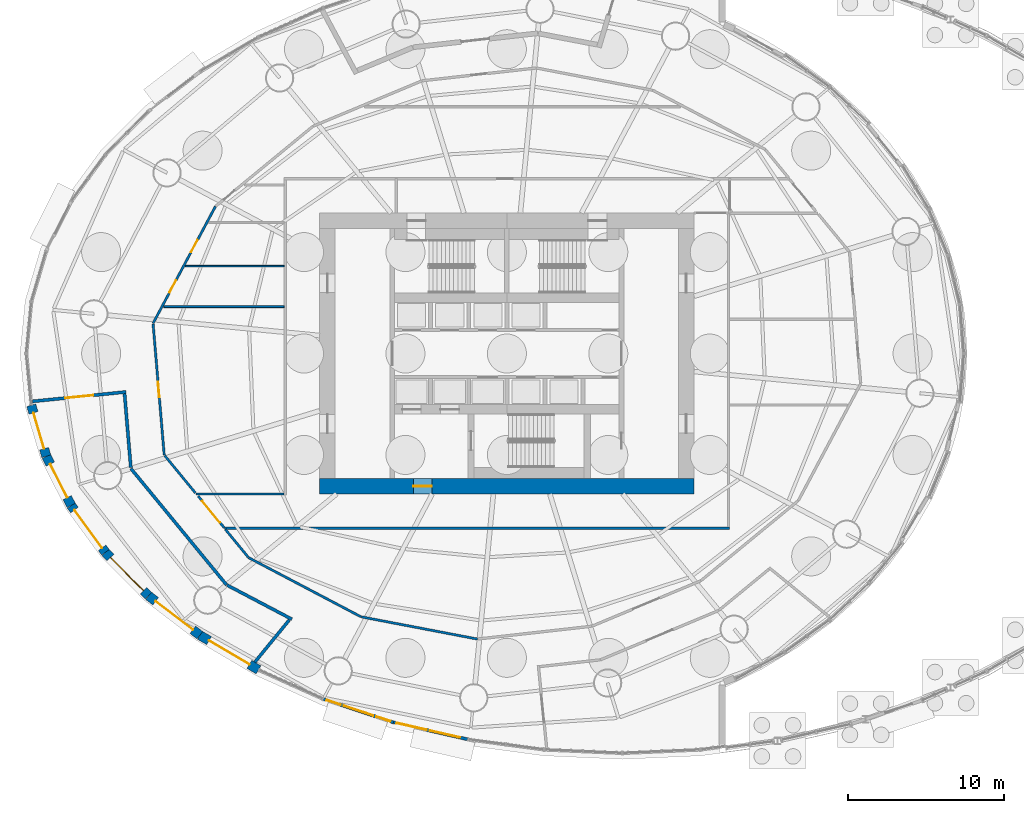
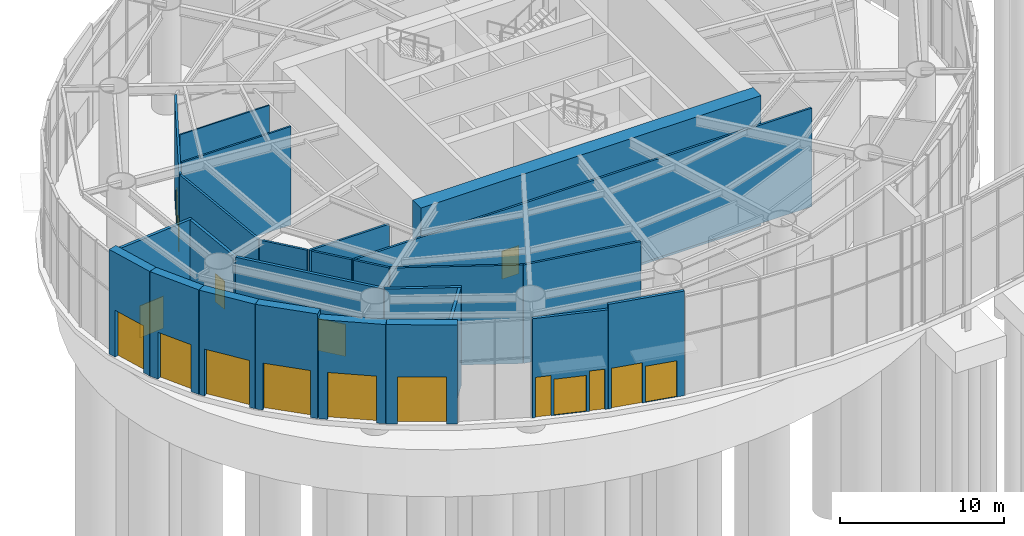
# One storey, part 21 of 27: 25 walls, 14 doors, 3 windows, 17 openings.
"""IFC4 building model written with IfcOpenShell, lengths in metres."""

from ifc_helpers import new_model, si_unit, direction, frame, frame_2d, origin, place, context, subcontext, project, spatial, rectangle, extrude, material, layer, layer_set, type_object, element, fill, save


model = new_model("IFC4")

# Units and contexts
model_context = context("Model", 3, precision=1e-05, world=origin(), true_north=direction((0.0, 1.0)))
body_context = subcontext(model_context, "Body", "Model", "MODEL_VIEW")
ifc_project = project(units=[si_unit("LENGTHUNIT", "METRE"), si_unit("AREAUNIT", "SQUARE_METRE"), si_unit("VOLUMEUNIT", "CUBIC_METRE"), si_unit("PLANEANGLEUNIT", "RADIAN"), si_unit("MASSUNIT", "GRAM", prefix="KILO")], contexts=[model_context])

# Site, building, storey
site_placement = place(None, origin())
site = spatial("IfcSite", under=ifc_project, at=site_placement, CompositionType="ELEMENT")
building_placement = place(site_placement, origin())
building = spatial("IfcBuilding", under=site, at=building_placement, Name="Vermilion Reach Broadcast Tower", CompositionType="ELEMENT")
storey_placement = place(building_placement, origin())
storey = spatial("IfcBuildingStorey", under=building, at=storey_placement, Name="L00", CompositionType="ELEMENT", Elevation=0.0)

# Wall, opening, door
ifc_material_1 = material(Name="Concrete C70", Category="concrete")
ifc_layer_1 = layer(ifc_material_1, 1.0)
ifc_layer_set_1 = layer_set([ifc_layer_1], Name="Core outer wall 1000 mm Concrete C70")
wall_type_1 = type_object("IfcWallType", Name="Core outer wall 1000 mm Concrete C70", PredefinedType="SHEAR", material=ifc_layer_set_1)
wall_1_placement = place(storey_placement, frame((-18.0, -8.5, -2.0), z_axis=(0.0, 0.0, 1.0), x_axis=(1.0, 0.0, 0.0)))
wall_1 = element("IfcWall", 1, at=wall_1_placement, inside=storey, type_object=wall_type_1, Name="L00 core wall os", PredefinedType="SHEAR", context=body_context, shape_type="SweptSolid", body=[
    extrude(rectangle(XDim=24.0, YDim=1.0, at=frame_2d((12.0, 0.0))), origin(), (0.0, 0.0, 1.0), 9.699951171875),
])
opening_1_placement = place(wall_1_placement, frame((6.0, 0.0, 2.0)))
opening_1 = element("IfcOpeningElement", 2, at=opening_1_placement, cuts=wall_1, Name="Opening D02", PredefinedType="OPENING", context=body_context, shape_type="SweptSolid", body=[
    extrude(rectangle(XDim=1.199951171875, YDim=2.10009765625, at=frame_2d((0.60009765625, 1.050048828125))), frame((0.0, 0.510009765625, 0.0), z_axis=(0.0, -1.0, 0.0), x_axis=(1.0, 0.0, 0.0)), (0.0, 0.0, 1.0), 1.02001953125),
])
ifc_material_2 = material(Name="Painted steel fire door", Category="steel")
door_type_1 = type_object("IfcDoorType", Name="Firefighting lobby door 1200 x 2100", OperationType="DOUBLE_DOOR_SINGLE_SWING", PredefinedType="NOTDEFINED", material=ifc_material_2)
door_1_placement = place(opening_1_placement, origin())
door_1 = element("IfcDoor", 3, at=door_1_placement, inside=storey, type_object=door_type_1, Name="L00 ffdoor door FFL", OperationType="DOUBLE_DOOR_SINGLE_SWING", OverallHeight=2.10009765625, OverallWidth=1.199951171875, PredefinedType="NOTDEFINED", context=body_context, shape_type="SweptSolid", body=[
    extrude(rectangle(XDim=1.199951171875, YDim=2.10009765625, at=frame_2d((0.60009765625, 1.050048828125))), frame((0.0, 0.02490234375, 0.0), z_axis=(0.0, -1.0, 0.0), x_axis=(1.0, 0.0, 0.0)), (0.0, 0.0, 1.0), 0.050048828125),
])
fill(opening_1, door_1)

# Walls
ifc_material_3 = material(Name="Gypsum board partition")
ifc_layer_2 = layer(ifc_material_3, 0.14990234375)
ifc_layer_set_2 = layer_set([ifc_layer_2], Name="Corridor wall 150")
wall_type_2 = type_object("IfcWallType", Name="Corridor wall 150", PredefinedType="PARTITIONING", material=ifc_layer_set_2)
wall_2_placement = place(storey_placement, frame((-24.097412109375, -11.199951171875, 0.0), z_axis=(0.0, 0.0, 1.0), x_axis=(1.0, 0.0, 0.0)))
element("IfcWall", 4, at=wall_2_placement, inside=storey, type_object=wall_type_2, Name="sp.wall.L00.003", PredefinedType="PARTITIONING", context=body_context, shape_type="SweptSolid", body=[
    extrude(rectangle(XDim=32.372314453125, YDim=0.14990234375, at=frame_2d((16.18603515625, 0.0))), origin(), (0.0, 0.0, 1.0), 7.35009765625),
])
wall_3_placement = place(storey_placement, frame((-25.90576171875, -9.0, 0.0), z_axis=(0.0, 0.0, 1.0), x_axis=(1.0, 0.0, 0.0)))
element("IfcWall", 5, at=wall_3_placement, inside=storey, type_object=wall_type_2, Name="sp.wall.L00.005", PredefinedType="PARTITIONING", context=body_context, shape_type="SweptSolid", body=[
    extrude(rectangle(XDim=5.630859375, YDim=0.14990234375, at=frame_2d((2.8154296875, 0.0))), origin(), (0.0, 0.0, 1.0), 7.35009765625),
])

# Wall, openings, doors
wall_4_placement = place(storey_placement, frame((-28.674072265625, 1.933349609375, 0.0), z_axis=(0.0, 0.0, 1.0), x_axis=(0.470743396375, 0.882270171076, 0.0)))
wall_4 = element("IfcWall", 6, at=wall_4_placement, inside=storey, type_object=wall_type_2, Name="sp.wall.L00.007", PredefinedType="PARTITIONING", context=body_context, shape_type="SweptSolid", body=[
    extrude(rectangle(XDim=8.4931640625, YDim=0.14990234375, at=frame_2d((4.24658203125, 0.0))), origin(), (0.0, 0.0, 1.0), 7.35009765625),
])
opening_2_placement = place(wall_4_placement, frame((2.232666015625, 0.0, 0.0)))
opening_2 = element("IfcOpeningElement", 7, at=opening_2_placement, cuts=wall_4, Name="Opening D51", PredefinedType="OPENING", context=body_context, shape_type="SweptSolid", body=[
    extrude(rectangle(XDim=0.89990234375, YDim=2.10009765625, at=frame_2d((0.449951171875, 1.050048828125))), frame((0.0, 0.0849609375, 0.0), z_axis=(0.0, -1.0, 0.0), x_axis=(1.0, 0.0, 0.0)), (0.0, 0.0, 1.0), 0.169921875),
])
opening_3_placement = place(wall_4_placement, frame((5.16650390625, 0.0, 0.0)))
opening_3 = element("IfcOpeningElement", 8, at=opening_3_placement, cuts=wall_4, Name="Opening D51", PredefinedType="OPENING", context=body_context, shape_type="SweptSolid", body=[
    extrude(rectangle(XDim=0.89990234375, YDim=2.10009765625, at=frame_2d((0.449951171875, 1.050048828125))), frame((0.0, 0.0849609375, 0.0), z_axis=(0.0, -1.0, 0.0), x_axis=(1.0, 0.0, 0.0)), (0.0, 0.0, 1.0), 0.169921875),
])
ifc_material_4 = material(Name="Timber and steel door set", Category="steel")
door_type_2 = type_object("IfcDoorType", Name="Door 900x2100 WC", OperationType="NOTDEFINED", PredefinedType="DOOR", material=ifc_material_4)
door_2_placement = place(opening_2_placement, origin())
door_2 = element("IfcDoor", 9, at=door_2_placement, inside=storey, type_object=door_type_2, Name="sp.door.L00.001", OperationType="SINGLE_SWING_RIGHT", OverallHeight=2.10009765625, OverallWidth=0.89990234375, PredefinedType="DOOR", context=body_context, shape_type="SweptSolid", body=[
    extrude(rectangle(XDim=0.89990234375, YDim=2.10009765625, at=frame_2d((0.449951171875, 1.050048828125))), frame((0.0, 0.02490234375, 0.0), z_axis=(0.0, -1.0, 0.0), x_axis=(1.0, 0.0, 0.0)), (0.0, 0.0, 1.0), 0.050048828125),
])
fill(opening_2, door_2)
door_3_placement = place(opening_3_placement, origin())
door_3 = element("IfcDoor", 10, at=door_3_placement, inside=storey, type_object=door_type_2, Name="sp.door.L00.002", OperationType="SINGLE_SWING_LEFT", OverallHeight=2.10009765625, OverallWidth=0.89990234375, PredefinedType="DOOR", context=body_context, shape_type="SweptSolid", body=[
    extrude(rectangle(XDim=0.89990234375, YDim=2.10009765625, at=frame_2d((0.449951171875, 1.050048828125))), frame((0.0, 0.02490234375, 0.0), z_axis=(0.0, -1.0, 0.0), x_axis=(1.0, 0.0, 0.0)), (0.0, 0.0, 1.0), 0.050048828125),
])
fill(opening_3, door_3)

# Walls
wall_5_placement = place(storey_placement, frame((-27.926025390625, -6.54248046875, 0.0), z_axis=(0.0, 0.0, 1.0), x_axis=(0.635017397711, -0.772497834692, 0.0)))
element("IfcWall", 11, at=wall_5_placement, inside=storey, type_object=wall_type_2, Name="sp.wall.L00.008", PredefinedType="PARTITIONING", context=body_context, shape_type="SweptSolid", body=[
    extrude(rectangle(XDim=3.08984375, YDim=0.14990234375, at=frame_2d((1.544921875, 0.0))), origin(), (0.0, 0.0, 1.0), 7.35009765625),
])
wall_6_placement = place(storey_placement, frame((-24.039306640625, -11.2705078125, 0.0), z_axis=(0.0, 0.0, 1.0), x_axis=(0.634980634047, -0.772528054109, 0.0)))
element("IfcWall", 12, at=wall_6_placement, inside=storey, type_object=wall_type_2, Name="sp.wall.L00.009", PredefinedType="PARTITIONING", context=body_context, shape_type="SweptSolid", body=[
    extrude(rectangle(XDim=2.309326171875, YDim=0.14990234375, at=frame_2d((1.15478515625, 0.0))), origin(), (0.0, 0.0, 1.0), 7.35009765625),
])

# Wall, opening, door
wall_7_placement = place(storey_placement, frame((-27.958984375, -6.50244140625, 0.0), z_axis=(0.0, 0.0, 1.0), x_axis=(-0.084490422104, 0.99642429144, 0.0)))
wall_7 = element("IfcWall", 13, at=wall_7_placement, inside=storey, type_object=wall_type_2, Name="sp.wall.L00.010", PredefinedType="PARTITIONING", context=body_context, shape_type="SweptSolid", body=[
    extrude(rectangle(XDim=8.417236328125, YDim=0.14990234375, at=frame_2d((4.20849609375, 0.0))), origin(), (0.0, 0.0, 1.0), 7.35009765625),
])
opening_4_placement = place(wall_7_placement, frame((3.708740234375, 0.0, 0.0)))
opening_4 = element("IfcOpeningElement", 14, at=opening_4_placement, cuts=wall_7, Name="Opening D50", PredefinedType="OPENING", context=body_context, shape_type="SweptSolid", body=[
    extrude(rectangle(XDim=1.0, YDim=2.10009765625, at=frame_2d((0.5, 1.050048828125))), frame((0.0, 0.0849609375, 0.0), z_axis=(0.0, -1.0, 0.0), x_axis=(1.0, 0.0, 0.0)), (0.0, 0.0, 1.0), 0.169921875),
])
ifc_material_5 = material(Name="Timber and steel door set", Category="steel")
door_type_3 = type_object("IfcDoorType", Name="Door 1000x2100", OperationType="NOTDEFINED", PredefinedType="DOOR", material=ifc_material_5)
door_4_placement = place(opening_4_placement, origin())
door_4 = element("IfcDoor", 15, at=door_4_placement, inside=storey, type_object=door_type_3, Name="sp.door.L00.000", OperationType="SINGLE_SWING_LEFT", OverallHeight=2.10009765625, OverallWidth=1.0, PredefinedType="DOOR", context=body_context, shape_type="SweptSolid", body=[
    extrude(rectangle(XDim=1.0, YDim=2.10009765625, at=frame_2d((0.5, 1.050048828125))), frame((0.0, 0.02490234375, 0.0), z_axis=(0.0, -1.0, 0.0), x_axis=(1.0, 0.0, 0.0)), (0.0, 0.0, 1.0), 0.050048828125),
])
fill(opening_4, door_4)

# Walls
wall_8_placement = place(storey_placement, frame((-15.3251953125, -16.875244140625, 0.0), z_axis=(0.0, 0.0, 1.0), x_axis=(0.982205706766, -0.187808278828, 0.0)))
element("IfcWall", 16, at=wall_8_placement, inside=storey, type_object=wall_type_2, Name="sp.wall.L00.025", PredefinedType="PARTITIONING", context=body_context, shape_type="SweptSolid", body=[
    extrude(rectangle(XDim=7.573486328125, YDim=0.14990234375, at=frame_2d((3.78662109375, 0.0))), origin(), (0.0, 0.0, 1.0), 7.35009765625),
])
wall_9_placement = place(storey_placement, frame((-22.552734375, -13.078857421875, 0.0), z_axis=(0.0, 0.0, 1.0), x_axis=(0.884926027541, -0.46573160273, 0.0)))
element("IfcWall", 17, at=wall_9_placement, inside=storey, type_object=wall_type_2, Name="sp.wall.L00.026", PredefinedType="PARTITIONING", context=body_context, shape_type="SweptSolid", body=[
    extrude(rectangle(XDim=8.14208984375, YDim=0.14990234375, at=frame_2d((4.071044921875, 0.0))), origin(), (0.0, 0.0, 1.0), 7.35009765625),
])

# Wall, opening, door
wall_10_placement = place(storey_placement, frame((-24.114990234375, -11.16259765625, 0.0), z_axis=(0.0, 0.0, 1.0), x_axis=(-0.63506228811, 0.772460931193, 0.0)))
wall_10 = element("IfcWall", 18, at=wall_10_placement, inside=storey, type_object=wall_type_2, Name="Exit passage wall E", PredefinedType="PARTITIONING", context=body_context, shape_type="SweptSolid", body=[
    extrude(rectangle(XDim=2.6279296875, YDim=0.14990234375, at=frame_2d((1.31396484375, 0.0))), origin(), (0.0, 0.0, 1.0), 7.35009765625),
])
opening_5_placement = place(wall_10_placement, frame((0.413818359375, 0.0, 0.0)))
opening_5 = element("IfcOpeningElement", 19, at=opening_5_placement, cuts=wall_10, Name="Opening D56", PredefinedType="OPENING", context=body_context, shape_type="SweptSolid", body=[
    extrude(rectangle(XDim=1.800048828125, YDim=2.39990234375, at=frame_2d((0.89990234375, 1.199951171875))), frame((0.0, 0.0849609375, 0.0), z_axis=(0.0, -1.0, 0.0), x_axis=(1.0, 0.0, 0.0)), (0.0, 0.0, 1.0), 0.169921875),
])
ifc_material_6 = material(Name="Timber and steel door set", Category="steel")
door_type_4 = type_object("IfcDoorType", Name="Fire door double 1800x2400", OperationType="NOTDEFINED", PredefinedType="DOOR", material=ifc_material_6)
door_5_placement = place(opening_5_placement, origin())
door_5 = element("IfcDoor", 20, at=door_5_placement, inside=storey, type_object=door_type_4, Name="Exit passage door", OperationType="DOUBLE_DOOR_SINGLE_SWING", OverallHeight=2.39990234375, OverallWidth=1.800048828125, PredefinedType="DOOR", context=body_context, shape_type="SweptSolid", body=[
    extrude(rectangle(XDim=1.800048828125, YDim=2.39990234375, at=frame_2d((0.89990234375, 1.199951171875))), frame((0.0, 0.02490234375, 0.0), z_axis=(0.0, -1.0, 0.0), x_axis=(1.0, 0.0, 0.0)), (0.0, 0.0, 1.0), 0.050048828125),
])
fill(opening_5, door_5)

# Wall
ifc_material_7 = material(Name="Gypsum board partition")
ifc_layer_3 = layer(ifc_material_7, 0.125)
ifc_layer_set_3 = layer_set([ifc_layer_3], Name="Partition 125 plasterboard")
wall_type_3 = type_object("IfcWallType", Name="Partition 125 plasterboard", PredefinedType="PARTITIONING", material=ifc_layer_set_3)
wall_11_placement = place(storey_placement, frame((-27.986572265625, 3.0, 0.0), z_axis=(0.0, 0.0, 1.0), x_axis=(1.0, 0.0, 0.0)))
element("IfcWall", 21, at=wall_11_placement, inside=storey, type_object=wall_type_3, Name="sp.wall.L00.006", PredefinedType="PARTITIONING", context=body_context, shape_type="SweptSolid", body=[
    extrude(rectangle(XDim=7.711669921875, YDim=0.125, at=frame_2d((3.85595703125, 0.0))), origin(), (0.0, 0.0, 1.0), 7.35009765625),
])

# Wall, opening, door
ifc_material_8 = material(Name="Gypsum board shaft wall")
ifc_layer_4 = layer(ifc_material_8, 0.199951171875)
ifc_layer_set_4 = layer_set([ifc_layer_4], Name="Plant room wall 200")
wall_type_4 = type_object("IfcWallType", Name="Plant room wall 200", PredefinedType="PARTITIONING", material=ifc_layer_set_4)
wall_12_placement = place(storey_placement, frame((-36.401611328125, -3.066650390625, 0.0), z_axis=(0.0, 0.0, 1.0), x_axis=(0.994950935354, 0.100362524075, 0.0)))
wall_12 = element("IfcWall", 22, at=wall_12_placement, inside=storey, type_object=wall_type_4, Name="sp.wall.L00.036", PredefinedType="PARTITIONING", context=body_context, shape_type="SweptSolid", body=[
    extrude(rectangle(XDim=6.023193359375, YDim=0.199951171875, at=frame_2d((3.01171875, 0.0))), origin(), (0.0, 0.0, 1.0), 7.35009765625),
])
opening_6_placement = place(wall_12_placement, frame((2.111572265625, 0.0, 0.0)))
opening_6 = element("IfcOpeningElement", 23, at=opening_6_placement, cuts=wall_12, Name="Opening D53", PredefinedType="OPENING", context=body_context, shape_type="SweptSolid", body=[
    extrude(rectangle(XDim=1.800048828125, YDim=2.39990234375, at=frame_2d((0.89990234375, 1.199951171875))), frame((0.0, 0.10986328125, 0.0), z_axis=(0.0, -1.0, 0.0), x_axis=(1.0, 0.0, 0.0)), (0.0, 0.0, 1.0), 0.219970703125),
])
ifc_material_9 = material(Name="Timber and steel door set", Category="steel")
door_type_5 = type_object("IfcDoorType", Name="Plant double door 1800x2400", OperationType="NOTDEFINED", PredefinedType="DOOR", material=ifc_material_9)
door_6_placement = place(opening_6_placement, origin())
door_6 = element("IfcDoor", 24, at=door_6_placement, inside=storey, type_object=door_type_5, Name="sp.door.L00.011", OperationType="DOUBLE_DOOR_SINGLE_SWING", OverallHeight=2.39990234375, OverallWidth=1.800048828125, PredefinedType="DOOR", context=body_context, shape_type="SweptSolid", body=[
    extrude(rectangle(XDim=1.800048828125, YDim=2.39990234375, at=frame_2d((0.89990234375, 1.199951171875))), frame((0.0, 0.02490234375, 0.0), z_axis=(0.0, -1.0, 0.0), x_axis=(1.0, 0.0, 0.0)), (0.0, 0.0, 1.0), 0.050048828125),
])
fill(opening_6, door_6)

# Walls
wall_13_placement = place(storey_placement, frame((-30.5, -2.573486328125, 0.0), z_axis=(0.0, 0.0, 1.0), x_axis=(0.084475975721, -0.996425516296, 0.0)))
element("IfcWall", 25, at=wall_13_placement, inside=storey, type_object=wall_type_4, Name="sp.wall.L00.037", PredefinedType="PARTITIONING", context=body_context, shape_type="SweptSolid", body=[
    extrude(rectangle(XDim=4.745361328125, YDim=0.199951171875, at=frame_2d((2.37255859375, 0.0))), origin(), (0.0, 0.0, 1.0), 7.35009765625),
])
wall_14_placement = place(storey_placement, frame((-30.09326171875, -7.37060546875, 0.0), z_axis=(0.0, 0.0, 1.0), x_axis=(0.635024486896, -0.772492007106, 0.0)))
element("IfcWall", 26, at=wall_14_placement, inside=storey, type_object=wall_type_4, Name="sp.wall.L00.038", PredefinedType="PARTITIONING", context=body_context, shape_type="SweptSolid", body=[
    extrude(rectangle(XDim=9.641845703125, YDim=0.199951171875, at=frame_2d((4.82080078125, 0.0))), origin(), (0.0, 0.0, 1.0), 7.35009765625),
])
wall_15_placement = place(storey_placement, frame((-23.93310546875, -14.838623046875, 0.0), z_axis=(0.0, 0.0, 1.0), x_axis=(0.884946422315, -0.465692849023, 0.0)))
element("IfcWall", 27, at=wall_15_placement, inside=storey, type_object=wall_type_4, Name="sp.wall.L00.039", PredefinedType="PARTITIONING", context=body_context, shape_type="SweptSolid", body=[
    extrude(rectangle(XDim=4.694580078125, YDim=0.199951171875, at=frame_2d((2.34716796875, 0.0))), origin(), (0.0, 0.0, 1.0), 7.35009765625),
])
wall_16_placement = place(storey_placement, frame((-22.15625, -19.78125, 0.0), z_axis=(0.0, 0.0, 1.0), x_axis=(0.632598795389, 0.774479673118, 0.0)))
element("IfcWall", 28, at=wall_16_placement, inside=storey, type_object=wall_type_4, Name="sp.wall.L00.040", PredefinedType="PARTITIONING", context=body_context, shape_type="SweptSolid", body=[
    extrude(rectangle(XDim=3.49658203125, YDim=0.199951171875, at=frame_2d((1.748291015625, 0.0))), origin(), (0.0, 0.0, 1.0), 7.35009765625),
])

# Wall, opening, door
ifc_material_10 = material(Name="Precast concrete C40/50 with acoustic cladding", Category="concrete")
ifc_layer_5 = layer(ifc_material_10, 0.60009765625)
ifc_layer_set_5 = layer_set([ifc_layer_5], Name="Podium acoustic wall 600")
wall_type_5 = type_object("IfcWallType", Name="Podium acoustic wall 600", PredefinedType="SOLIDWALL", material=ifc_layer_set_5)
wall_17_placement = place(storey_placement, frame((-36.477294921875, -3.31689453125, 0.0), z_axis=(0.0, 0.0, 1.0), x_axis=(0.283226206308, -0.95905313516, 0.0)))
wall_17 = element("IfcWall", 29, at=wall_17_placement, inside=storey, type_object=wall_type_5, Name="Podium wall L00 str15", PredefinedType="SOLIDWALL", context=body_context, shape_type="SweptSolid", body=[
    extrude(rectangle(XDim=3.404052734375, YDim=0.60009765625, at=frame_2d((1.7021484375, 0.0))), origin(), (0.0, 0.0, 1.0), 7.800048828125),
])
opening_7_placement = place(wall_17_placement, frame((0.501953125, 0.0, 0.0)))
opening_7 = element("IfcOpeningElement", 30, at=opening_7_placement, cuts=wall_17, Name="Opening D74", PredefinedType="OPENING", context=body_context, shape_type="SweptSolid", body=[
    extrude(rectangle(XDim=2.39990234375, YDim=3.5, at=frame_2d((1.199951171875, 1.75))), frame((0.0, 0.31005859375, 0.0), z_axis=(0.0, -1.0, 0.0), x_axis=(1.0, 0.0, 0.0)), (0.0, 0.0, 1.0), 0.6201171875),
])
ifc_material_11 = material(Name="Galvanised steel roller shutter", Category="steel")
door_type_6 = type_object("IfcDoorType", Name="Service gate 2400 x 3500", OperationType="ROLLINGUP", PredefinedType="GATE", material=ifc_material_11)
door_7_placement = place(opening_7_placement, origin())
door_7 = element("IfcDoor", 31, at=door_7_placement, inside=storey, type_object=door_type_6, Name="Service gate L00 15", OperationType="ROLLINGUP", OverallHeight=3.5, OverallWidth=2.39990234375, PredefinedType="GATE", context=body_context, shape_type="SweptSolid", body=[
    extrude(rectangle(XDim=2.39990234375, YDim=3.5, at=frame_2d((1.199951171875, 1.75))), frame((0.0, 0.02490234375, 0.0), z_axis=(0.0, -1.0, 0.0), x_axis=(1.0, 0.0, 0.0)), (0.0, 0.0, 1.0), 0.050048828125),
])
fill(opening_7, door_7)

wall_18_placement = place(storey_placement, frame((-35.51318359375, -6.58154296875, 0.0), z_axis=(0.0, 0.0, 1.0), x_axis=(0.450137579264, -0.892959215045, 0.0)))
wall_18 = element("IfcWall", 32, at=wall_18_placement, inside=storey, type_object=wall_type_5, Name="Podium wall L00 str16", PredefinedType="SOLIDWALL", context=body_context, shape_type="SweptSolid", body=[
    extrude(rectangle(XDim=3.537353515625, YDim=0.60009765625, at=frame_2d((1.7685546875, 0.0))), origin(), (0.0, 0.0, 1.0), 7.800048828125),
])
opening_8_placement = place(wall_18_placement, frame((0.569091796875, 0.0, 0.0)))
opening_8 = element("IfcOpeningElement", 33, at=opening_8_placement, cuts=wall_18, Name="Opening D74", PredefinedType="OPENING", context=body_context, shape_type="SweptSolid", body=[
    extrude(rectangle(XDim=2.39990234375, YDim=3.5, at=frame_2d((1.199951171875, 1.75))), frame((0.0, 0.31005859375, 0.0), z_axis=(0.0, -1.0, 0.0), x_axis=(1.0, 0.0, 0.0)), (0.0, 0.0, 1.0), 0.6201171875),
])
door_8_placement = place(opening_8_placement, origin())
door_8 = element("IfcDoor", 34, at=door_8_placement, inside=storey, type_object=door_type_6, Name="Service gate L00 16", OperationType="ROLLINGUP", OverallHeight=3.5, OverallWidth=2.39990234375, PredefinedType="GATE", context=body_context, shape_type="SweptSolid", body=[
    extrude(rectangle(XDim=2.39990234375, YDim=3.5, at=frame_2d((1.199951171875, 1.75))), frame((0.0, 0.02490234375, 0.0), z_axis=(0.0, -1.0, 0.0), x_axis=(1.0, 0.0, 0.0)), (0.0, 0.0, 1.0), 0.050048828125),
])
fill(opening_8, door_8)

wall_19_placement = place(storey_placement, frame((-33.9208984375, -9.740234375, 0.0), z_axis=(0.0, 0.0, 1.0), x_axis=(0.59073426953, -0.806866174035, 0.0)))
wall_19 = element("IfcWall", 35, at=wall_19_placement, inside=storey, type_object=wall_type_5, Name="Podium wall L00 str17", PredefinedType="SOLIDWALL", context=body_context, shape_type="SweptSolid", body=[
    extrude(rectangle(XDim=3.717529296875, YDim=0.60009765625, at=frame_2d((1.85888671875, 0.0))), origin(), (0.0, 0.0, 1.0), 7.800048828125),
])
opening_9_placement = place(wall_19_placement, frame((0.35888671875, 0.0, 0.0)))
opening_9 = element("IfcOpeningElement", 36, at=opening_9_placement, cuts=wall_19, Name="Opening D73", PredefinedType="OPENING", context=body_context, shape_type="SweptSolid", body=[
    extrude(rectangle(XDim=3.0, YDim=3.5, at=frame_2d((1.5, 1.75))), frame((0.0, 0.31005859375, 0.0), z_axis=(0.0, -1.0, 0.0), x_axis=(1.0, 0.0, 0.0)), (0.0, 0.0, 1.0), 0.6201171875),
])
ifc_material_12 = material(Name="Galvanised steel roller shutter", Category="steel")
door_type_7 = type_object("IfcDoorType", Name="Service gate 3000 x 3500", OperationType="ROLLINGUP", PredefinedType="GATE", material=ifc_material_12)
door_9_placement = place(opening_9_placement, origin())
door_9 = element("IfcDoor", 37, at=door_9_placement, inside=storey, type_object=door_type_7, Name="Service gate L00 17", OperationType="ROLLINGUP", OverallHeight=3.5, OverallWidth=3.0, PredefinedType="GATE", context=body_context, shape_type="SweptSolid", body=[
    extrude(rectangle(XDim=3.0, YDim=3.5, at=frame_2d((1.5, 1.75))), frame((0.0, 0.02490234375, 0.0), z_axis=(0.0, -1.0, 0.0), x_axis=(1.0, 0.0, 0.0)), (0.0, 0.0, 1.0), 0.050048828125),
])
fill(opening_9, door_9)

wall_20_placement = place(storey_placement, frame((-31.724853515625, -12.73974609375, 0.0), z_axis=(0.0, 0.0, 1.0), x_axis=(0.704303183564, -0.709899306678, 0.0)))
wall_20 = element("IfcWall", 38, at=wall_20_placement, inside=storey, type_object=wall_type_5, Name="Podium wall L00 str18", PredefinedType="SOLIDWALL", context=body_context, shape_type="SweptSolid", body=[
    extrude(rectangle(XDim=3.926513671875, YDim=0.60009765625, at=frame_2d((1.96337890625, 0.0))), origin(), (0.0, 0.0, 1.0), 7.800048828125),
])
opening_10_placement = place(wall_20_placement, frame((0.462890625, 0.0, 0.0)))
opening_10 = element("IfcOpeningElement", 39, at=opening_10_placement, cuts=wall_20, Name="Opening D73", PredefinedType="OPENING", context=body_context, shape_type="SweptSolid", body=[
    extrude(rectangle(XDim=3.0, YDim=3.5, at=frame_2d((1.5, 1.75))), frame((0.0, 0.31005859375, 0.0), z_axis=(0.0, -1.0, 0.0), x_axis=(1.0, 0.0, 0.0)), (0.0, 0.0, 1.0), 0.6201171875),
])
door_10_placement = place(opening_10_placement, origin())
door_10 = element("IfcDoor", 40, at=door_10_placement, inside=storey, type_object=door_type_7, Name="Service gate L00 18", OperationType="ROLLINGUP", OverallHeight=3.5, OverallWidth=3.0, PredefinedType="GATE", context=body_context, shape_type="SweptSolid", body=[
    extrude(rectangle(XDim=3.0, YDim=3.5, at=frame_2d((1.5, 1.75))), frame((0.0, 0.02490234375, 0.0), z_axis=(0.0, -1.0, 0.0), x_axis=(1.0, 0.0, 0.0)), (0.0, 0.0, 1.0), 0.050048828125),
])
fill(opening_10, door_10)

ifc_material_13 = material(Name="Precast concrete C40/50 with acoustic cladding", Category="concrete")
ifc_layer_6 = layer(ifc_material_13, 0.60009765625)
ifc_layer_set_6 = layer_set([ifc_layer_6], Name="Podium acoustic wall 600, head 400 below soffit")
wall_type_6 = type_object("IfcWallType", Name="Podium acoustic wall 600, head 400 below soffit", PredefinedType="SOLIDWALL", material=ifc_layer_set_6)
wall_21_placement = place(storey_placement, frame((-28.95947265625, -15.527099609375, 0.0), z_axis=(0.0, 0.0, 1.0), x_axis=(0.793065901338, -0.609135843745, 0.0)))
wall_21 = element("IfcWall", 41, at=wall_21_placement, inside=storey, type_object=wall_type_6, Name="Podium wall L00 str19", PredefinedType="SOLIDWALL", context=body_context, shape_type="SweptSolid", body=[
    extrude(rectangle(XDim=4.146728515625, YDim=0.60009765625, at=frame_2d((2.0732421875, 0.0))), origin(), (0.0, 0.0, 1.0), 7.39990234375),
])
opening_11_placement = place(wall_21_placement, frame((0.572998046875, 0.0, 0.0)))
opening_11 = element("IfcOpeningElement", 42, at=opening_11_placement, cuts=wall_21, Name="Opening D73", PredefinedType="OPENING", context=body_context, shape_type="SweptSolid", body=[
    extrude(rectangle(XDim=3.0, YDim=3.5, at=frame_2d((1.5, 1.75))), frame((0.0, 0.31005859375, 0.0), z_axis=(0.0, -1.0, 0.0), x_axis=(1.0, 0.0, 0.0)), (0.0, 0.0, 1.0), 0.6201171875),
])
door_11_placement = place(opening_11_placement, origin())
door_11 = element("IfcDoor", 43, at=door_11_placement, inside=storey, type_object=door_type_7, Name="Service gate L00 19", OperationType="ROLLINGUP", OverallHeight=3.5, OverallWidth=3.0, PredefinedType="GATE", context=body_context, shape_type="SweptSolid", body=[
    extrude(rectangle(XDim=3.0, YDim=3.5, at=frame_2d((1.5, 1.75))), frame((0.0, 0.02490234375, 0.0), z_axis=(0.0, -1.0, 0.0), x_axis=(1.0, 0.0, 0.0)), (0.0, 0.0, 1.0), 0.050048828125),
])
fill(opening_11, door_11)

wall_22_placement = place(storey_placement, frame((-25.6708984375, -18.052978515625, 0.0), z_axis=(0.0, 0.0, 1.0), x_axis=(0.861017868942, -0.508574703818, 0.0)))
wall_22 = element("IfcWall", 44, at=wall_22_placement, inside=storey, type_object=wall_type_6, Name="Podium wall L00 str20", PredefinedType="SOLIDWALL", context=body_context, shape_type="SweptSolid", body=[
    extrude(rectangle(XDim=4.36279296875, YDim=0.60009765625, at=frame_2d((2.181396484375, 0.0))), origin(), (0.0, 0.0, 1.0), 7.39990234375),
])
opening_12_placement = place(wall_22_placement, frame((0.680908203125, 0.0, 0.0)))
opening_12 = element("IfcOpeningElement", 45, at=opening_12_placement, cuts=wall_22, Name="Opening D73", PredefinedType="OPENING", context=body_context, shape_type="SweptSolid", body=[
    extrude(rectangle(XDim=3.0, YDim=3.5, at=frame_2d((1.5, 1.75))), frame((0.0, 0.31005859375, 0.0), z_axis=(0.0, -1.0, 0.0), x_axis=(1.0, 0.0, 0.0)), (0.0, 0.0, 1.0), 0.6201171875),
])
door_12_placement = place(opening_12_placement, origin())
door_12 = element("IfcDoor", 46, at=door_12_placement, inside=storey, type_object=door_type_7, Name="Service gate L00 20", OperationType="ROLLINGUP", OverallHeight=3.5, OverallWidth=3.0, PredefinedType="GATE", context=body_context, shape_type="SweptSolid", body=[
    extrude(rectangle(XDim=3.0, YDim=3.5, at=frame_2d((1.5, 1.75))), frame((0.0, 0.02490234375, 0.0), z_axis=(0.0, -1.0, 0.0), x_axis=(1.0, 0.0, 0.0)), (0.0, 0.0, 1.0), 0.050048828125),
])
fill(opening_12, door_12)

# Wall, openings, window, door
ifc_material_14 = material(Name="Clear glass in aluminium frame", Category="aluminium")
ifc_layer_7 = layer(ifc_material_14, 0.199951171875)
ifc_layer_set_7 = layer_set([ifc_layer_7], Name="Storefront frame wall 200")
wall_type_7 = type_object("IfcWallType", Name="Storefront frame wall 200", PredefinedType="SOLIDWALL", material=ifc_layer_set_7)
wall_23_placement = place(storey_placement, frame((-8.519287109375, -24.720458984375, 0.0), z_axis=(0.0, 0.0, 1.0), x_axis=(-0.97483982486, 0.222906518224, 0.0)))
wall_23 = element("IfcWall", 47, at=wall_23_placement, inside=storey, type_object=wall_type_7, Name="Storefront wall L00 str23", PredefinedType="SOLIDWALL", context=body_context, shape_type="SweptSolid", body=[
    extrude(rectangle(XDim=4.867431640625, YDim=0.199951171875, at=frame_2d((2.43359375, 0.0))), origin(), (0.0, 0.0, 1.0), 7.800048828125),
])
opening_13_placement = place(wall_23_placement, frame((0.4921875, 0.0, 0.0)))
opening_13 = element("IfcOpeningElement", 48, at=opening_13_placement, cuts=wall_23, Name="Opening D71", PredefinedType="OPENING", context=body_context, shape_type="SweptSolid", body=[
    extrude(rectangle(XDim=2.0, YDim=2.699951171875, at=frame_2d((1.0, 1.35009765625))), frame((0.0, 0.10986328125, 0.0), z_axis=(0.0, -1.0, 0.0), x_axis=(1.0, 0.0, 0.0)), (0.0, 0.0, 1.0), 0.219970703125),
])
opening_14_placement = place(wall_23_placement, frame((2.692138671875, 0.0, 0.0)))
opening_14 = element("IfcOpeningElement", 49, at=opening_14_placement, cuts=wall_23, Name="Opening W13", PredefinedType="OPENING", context=body_context, shape_type="SweptSolid", body=[
    extrude(rectangle(XDim=1.97509765625, YDim=3.0, at=frame_2d((0.987548828125, 1.5))), frame((0.0, 0.10986328125, 0.0), z_axis=(0.0, -1.0, 0.0), x_axis=(1.0, 0.0, 0.0)), (0.0, 0.0, 1.0), 0.219970703125),
])
ifc_material_15 = material(Name="Low-e laminated clear glass in aluminium frame", Category="aluminium")
window_type = type_object("IfcWindowType", Name="Storefront sidelight", PartitioningType="SINGLE_PANEL", PredefinedType="WINDOW", material=ifc_material_15)
window_1_placement = place(opening_14_placement, origin())
window_1 = element("IfcWindow", 50, at=window_1_placement, inside=storey, type_object=window_type, Name="Sidelight L00 str23b", OverallHeight=3.0, OverallWidth=1.97509765625, PartitioningType="SINGLE_PANEL", PredefinedType="WINDOW", context=body_context, shape_type="SweptSolid", body=[
    extrude(rectangle(XDim=1.97509765625, YDim=3.0, at=frame_2d((0.987548828125, 1.5))), frame((0.0, 0.030029296875, 0.0), z_axis=(0.0, -1.0, 0.0), x_axis=(1.0, 0.0, 0.0)), (0.0, 0.0, 1.0), 0.06005859375),
])
fill(opening_14, window_1)
ifc_material_16 = material(Name="Toughened glass in aluminium frame", Category="aluminium")
door_type_8 = type_object("IfcDoorType", Name="Street entrance door pair 2000 x 2700", OperationType="DOUBLE_DOOR_SINGLE_SWING", PredefinedType="DOOR", material=ifc_material_16)
door_13_placement = place(opening_13_placement, origin())
door_13 = element("IfcDoor", 51, at=door_13_placement, inside=storey, type_object=door_type_8, Name="Exit door L00 str23", OperationType="DOUBLE_DOOR_SINGLE_SWING", OverallHeight=2.699951171875, OverallWidth=2.0, PredefinedType="DOOR", context=body_context, shape_type="SweptSolid", body=[
    extrude(rectangle(XDim=2.0, YDim=2.699951171875, at=frame_2d((1.0, 1.35009765625))), frame((0.0, 0.02490234375, 0.0), z_axis=(0.0, -1.0, 0.0), x_axis=(1.0, 0.0, 0.0)), (0.0, 0.0, 1.0), 0.050048828125),
])
fill(opening_13, door_13)

# Wall, openings, windows, door
ifc_material_17 = material(Name="Clear glass in aluminium frame", Category="aluminium")
ifc_layer_8 = layer(ifc_material_17, 0.199951171875)
ifc_layer_set_8 = layer_set([ifc_layer_8], Name="Storefront frame wall 200, head 400 below soffit")
wall_type_8 = type_object("IfcWallType", Name="Storefront frame wall 200, head 400 below soffit", PredefinedType="SOLIDWALL", material=ifc_layer_set_8)
wall_24_placement = place(storey_placement, frame((-13.26416015625, -23.635498046875, 0.0), z_axis=(0.0, 0.0, 1.0), x_axis=(-0.94901810672, 0.315221561949, 0.0)))
wall_24 = element("IfcWall", 52, at=wall_24_placement, inside=storey, type_object=wall_type_8, Name="Storefront wall L00 str22", PredefinedType="SOLIDWALL", context=body_context, shape_type="SweptSolid", body=[
    extrude(rectangle(XDim=4.732177734375, YDim=0.199951171875, at=frame_2d((2.3662109375, 0.0))), origin(), (0.0, 0.0, 1.0), 7.39990234375),
])
opening_15_placement = place(wall_24_placement, frame((1.365966796875, 0.0, 0.0)))
opening_15 = element("IfcOpeningElement", 53, at=opening_15_placement, cuts=wall_24, Name="Opening D71", PredefinedType="OPENING", context=body_context, shape_type="SweptSolid", body=[
    extrude(rectangle(XDim=2.0, YDim=2.699951171875, at=frame_2d((1.0, 1.35009765625))), frame((0.0, 0.10986328125, 0.0), z_axis=(0.0, -1.0, 0.0), x_axis=(1.0, 0.0, 0.0)), (0.0, 0.0, 1.0), 0.219970703125),
])
opening_16_placement = place(wall_24_placement, frame((0.199951171875, 0.0, 0.0)))
opening_16 = element("IfcOpeningElement", 54, at=opening_16_placement, cuts=wall_24, Name="Opening W13", PredefinedType="OPENING", context=body_context, shape_type="SweptSolid", body=[
    extrude(rectangle(XDim=0.966064453125, YDim=3.0, at=frame_2d((0.48291015625, 1.5))), frame((0.0, 0.10986328125, 0.0), z_axis=(0.0, -1.0, 0.0), x_axis=(1.0, 0.0, 0.0)), (0.0, 0.0, 1.0), 0.219970703125),
])
opening_17_placement = place(wall_24_placement, frame((3.56591796875, 0.0, 0.0)))
opening_17 = element("IfcOpeningElement", 55, at=opening_17_placement, cuts=wall_24, Name="Opening W13", PredefinedType="OPENING", context=body_context, shape_type="SweptSolid", body=[
    extrude(rectangle(XDim=0.96630859375, YDim=3.0, at=frame_2d((0.483154296875, 1.5))), frame((0.0, 0.10986328125, 0.0), z_axis=(0.0, -1.0, 0.0), x_axis=(1.0, 0.0, 0.0)), (0.0, 0.0, 1.0), 0.219970703125),
])
window_2_placement = place(opening_16_placement, origin())
window_2 = element("IfcWindow", 56, at=window_2_placement, inside=storey, type_object=window_type, Name="Sidelight L00 str22a", OverallHeight=3.0, OverallWidth=0.966064453125, PartitioningType="SINGLE_PANEL", PredefinedType="WINDOW", context=body_context, shape_type="SweptSolid", body=[
    extrude(rectangle(XDim=0.966064453125, YDim=3.0, at=frame_2d((0.48291015625, 1.5))), frame((0.0, 0.030029296875, 0.0), z_axis=(0.0, -1.0, 0.0), x_axis=(1.0, 0.0, 0.0)), (0.0, 0.0, 1.0), 0.06005859375),
])
fill(opening_16, window_2)
window_3_placement = place(opening_17_placement, origin())
window_3 = element("IfcWindow", 57, at=window_3_placement, inside=storey, type_object=window_type, Name="Sidelight L00 str22b", OverallHeight=3.0, OverallWidth=0.96630859375, PartitioningType="SINGLE_PANEL", PredefinedType="WINDOW", context=body_context, shape_type="SweptSolid", body=[
    extrude(rectangle(XDim=0.96630859375, YDim=3.0, at=frame_2d((0.483154296875, 1.5))), frame((0.0, 0.030029296875, 0.0), z_axis=(0.0, -1.0, 0.0), x_axis=(1.0, 0.0, 0.0)), (0.0, 0.0, 1.0), 0.06005859375),
])
fill(opening_17, window_3)
door_14_placement = place(opening_15_placement, origin())
door_14 = element("IfcDoor", 58, at=door_14_placement, inside=storey, type_object=door_type_8, Name="Exit door L00 str22", OperationType="DOUBLE_DOOR_SINGLE_SWING", OverallHeight=2.699951171875, OverallWidth=2.0, PredefinedType="DOOR", context=body_context, shape_type="SweptSolid", body=[
    extrude(rectangle(XDim=2.0, YDim=2.699951171875, at=frame_2d((1.0, 1.35009765625))), frame((0.0, 0.02490234375, 0.0), z_axis=(0.0, -1.0, 0.0), x_axis=(1.0, 0.0, 0.0)), (0.0, 0.0, 1.0), 0.050048828125),
])
fill(opening_15, door_14)

# Wall
ifc_material_18 = material(Name="Gypsum board partition")
ifc_layer_9 = layer(ifc_material_18, 0.10009765625)
ifc_layer_set_9 = layer_set([ifc_layer_9], Name="WC partition 100")
wall_type_9 = type_object("IfcWallType", Name="WC partition 100", PredefinedType="PARTITIONING", material=ifc_layer_set_9)
wall_25_placement = place(storey_placement, frame((-26.60595703125, 5.60009765625, 0.0), z_axis=(0.0, 0.0, 1.0), x_axis=(1.0, 0.0, 0.0)))
element("IfcWall", 59, at=wall_25_placement, inside=storey, type_object=wall_type_9, Name="sp.wall.L00.011", PredefinedType="PARTITIONING", context=body_context, shape_type="SweptSolid", body=[
    extrude(rectangle(XDim=6.3310546875, YDim=0.10009765625, at=frame_2d((3.16552734375, 0.0))), origin(), (0.0, 0.0, 1.0), 7.35009765625),
])

save(model, "model.ifc")
